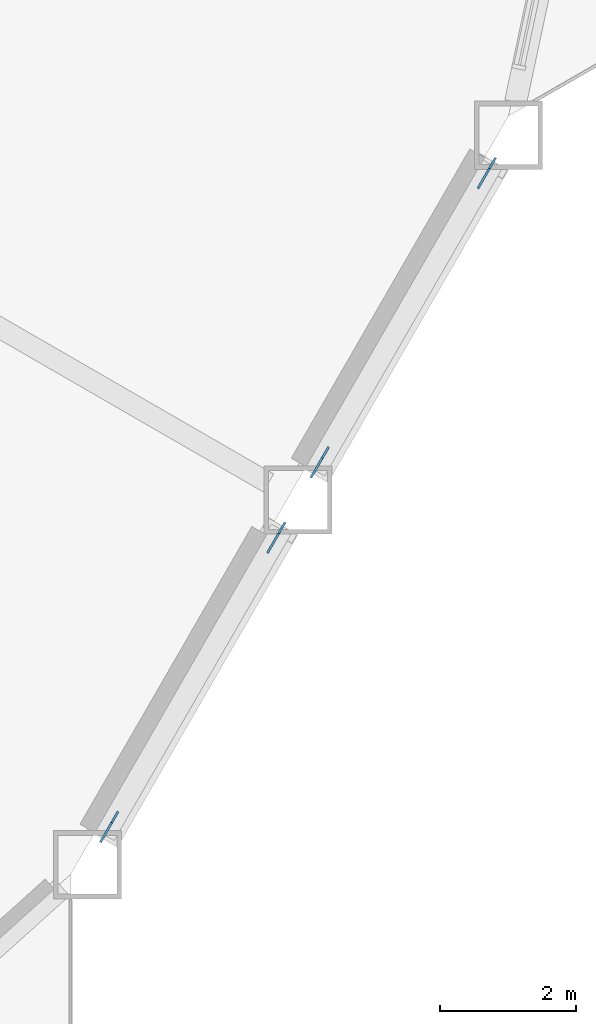
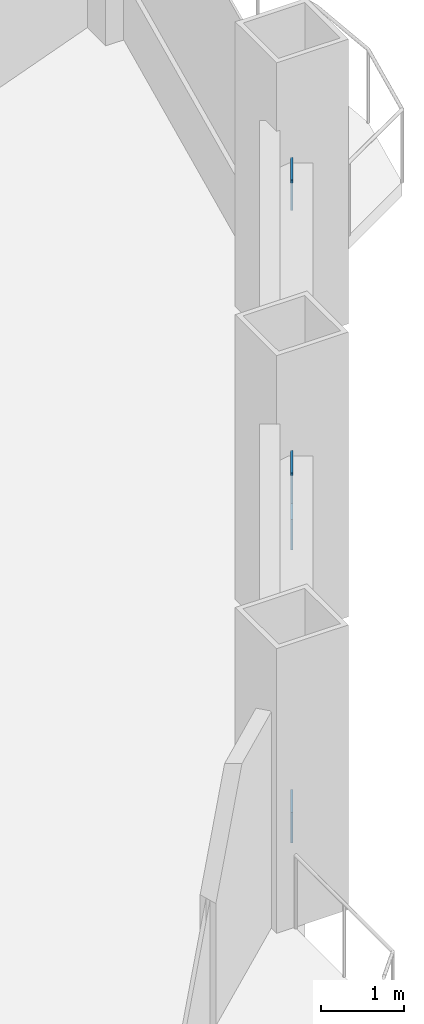
# One storey, part 15 of 21: 4 discrete accessories.
"""IFC4 building model written with IfcOpenShell, lengths in metres."""

from ifc_helpers import new_model, si_unit, direction, frame, origin, origin_2d, place, context, subcontext, project, spatial, rectangle, extrude, material, material_profile, profile_set, type_object, element, save


model = new_model("IFC4")

# Units and contexts
model_context = context("Model", 3, precision=1e-05, world=origin(), true_north=direction((0.0, 1.0)))
body_context = subcontext(model_context, "Body", "Model", "MODEL_VIEW")
ifc_project = project(units=[si_unit("LENGTHUNIT", "METRE"), si_unit("AREAUNIT", "SQUARE_METRE"), si_unit("VOLUMEUNIT", "CUBIC_METRE"), si_unit("PLANEANGLEUNIT", "RADIAN"), si_unit("MASSUNIT", "GRAM", prefix="KILO")], contexts=[model_context])

# Site, building, storey
site_placement = place(None, origin())
site = spatial("IfcSite", under=ifc_project, at=site_placement, CompositionType="ELEMENT")
building_placement = place(site_placement, origin())
building = spatial("IfcBuilding", under=site, at=building_placement, Name="Cormorant Prow Tower", CompositionType="ELEMENT")
storey_placement = place(building_placement, frame((0.0, 0.0, 67.800048828125)))
storey = spatial("IfcBuildingStorey", under=building, at=storey_placement, Name="L14", CompositionType="ELEMENT", Elevation=67.800048828125)

# Discrete accessories
ifc_material = material(Name="Structural steel ASTM A500 Gr C", Category="steel")
ifc_material_profile = material_profile(ifc_material, rectangle(XDim=0.031982421875, YDim=0.60791015625, at=origin_2d()), Name="Gusset plate 32x608")
ifc_profile_set = profile_set([ifc_material_profile], Name="Structural steel ASTM A500 Gr C")
discrete_accessory_type = type_object("IfcDiscreteAccessoryType", Name="Gusset plate 32x608", PredefinedType="BRACKET", material=ifc_profile_set)
discrete_accessory_1_placement = place(storey_placement, frame((25.232421875, -20.763427734375, 0.859130859375), z_axis=(-0.475651503409, -0.824369614413, -0.306871937683), x_axis=(0.866161185697, -0.499764745047, 0.0)))
element("IfcDiscreteAccessory", 1, at=discrete_accessory_1_placement, inside=storey, type_object=discrete_accessory_type, Name="Gusset plate GP1 L14.ESE00.g0", PredefinedType="BRACKET", context=body_context, shape_type="SweptSolid", body=[
    extrude(rectangle(XDim=0.031982421875, YDim=0.60791015625, at=origin_2d()), origin(), (0.0, 0.0, 1.0), 0.35009765625),
])
for number, where, z_axis, x_axis, name in (
    (2, (27.512939453125, -16.813232421875, 2.32958984375), (0.476464602218, 0.823872174553, 0.306946449452), (-0.865660382551, 0.500631703033, 0.0), "Gusset plate GP1 L14.ESE00.g1"),
    (3, (28.3173828125, -15.42041015625, 0.859130859375), (-0.476464602218, -0.823872174553, -0.306946449452), (0.865660382551, -0.500631703033, 0.0), "Gusset plate GP1 L14.ESE01.g0"),
):
    element("IfcDiscreteAccessory", number, at=place(storey_placement, frame(where, z_axis=z_axis, x_axis=x_axis)), inside=storey, type_object=discrete_accessory_type, Name=name, PredefinedType="BRACKET", context=body_context, shape_type="SweptSolid", body=[
        extrude(rectangle(XDim=0.031982421875, YDim=0.60791015625, at=origin_2d()), origin(), (0.0, 0.0, 1.0), 0.349853515625),
    ])
discrete_accessory_2_placement = place(storey_placement, frame((30.597900390625, -11.47021484375, 2.32958984375), z_axis=(0.475651503409, 0.824369614413, 0.306871937683), x_axis=(-0.866161185697, 0.499764745047, 0.0)))
element("IfcDiscreteAccessory", 4, at=discrete_accessory_2_placement, inside=storey, type_object=discrete_accessory_type, Name="Gusset plate GP1 L14.ESE01.g1", PredefinedType="BRACKET", context=body_context, shape_type="SweptSolid", body=[
    extrude(rectangle(XDim=0.031982421875, YDim=0.60791015625, at=origin_2d()), origin(), (0.0, 0.0, 1.0), 0.35009765625),
])

save(model, "model.ifc")
